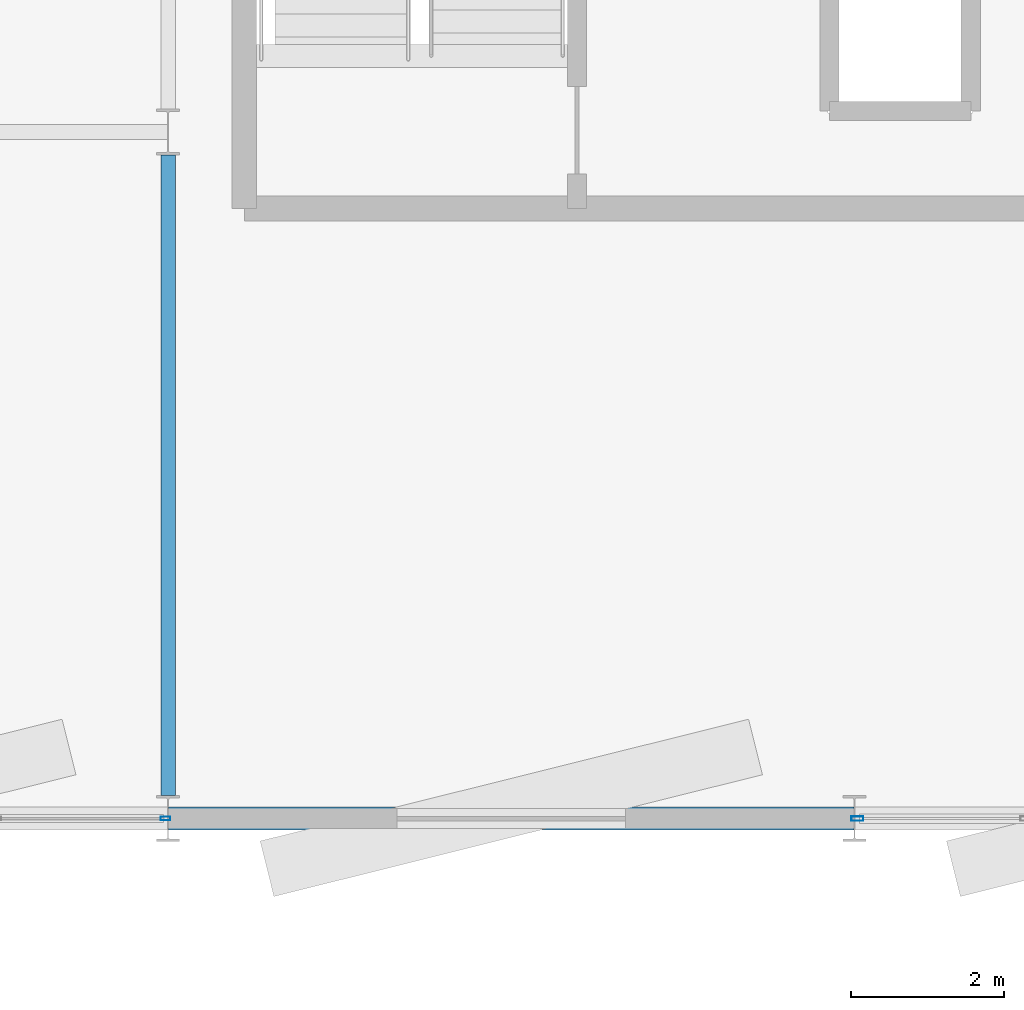
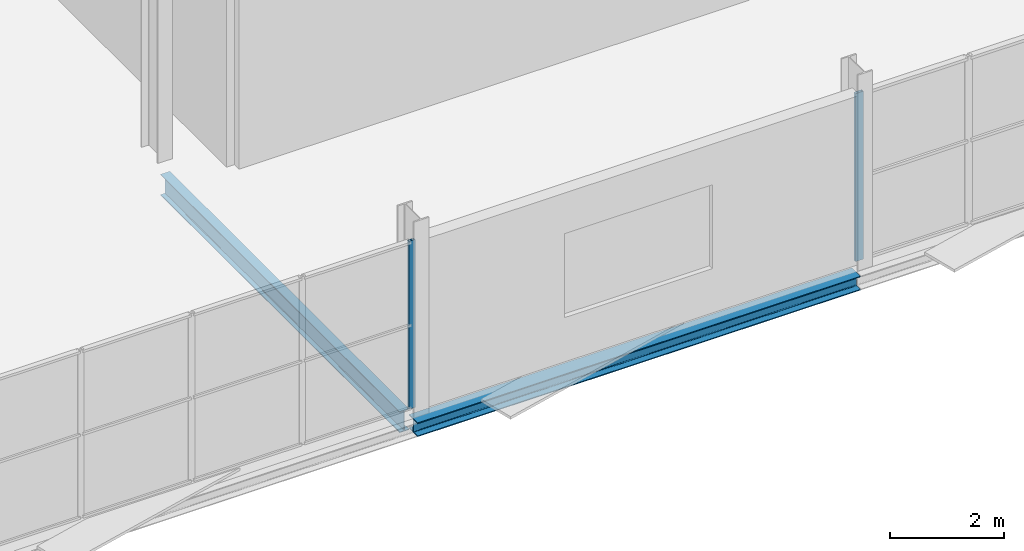
# One storey, part 81 of 135: 2 beams, 2 members, 2 elements without a shape of their own.
"""IFC4 building model written with IfcOpenShell, lengths in metres."""

import ifcopenshell
import ifcopenshell.guid

model = None  # the IFC model being written
_history = None  # IfcOwnerHistory: only IFC2X3 demands one
_inside = {}  # id of a spatial element -> (the spatial element, [elements in it])
_under = {}  # id of a project, library or spatial element -> (it, [spatial elements below it])
_declared = {}  # id of a project -> (the project, [libraries it declares])
_typed = {}  # id of a type object -> (the type object, [elements of that type])
_made_of = {}  # id of a material, layer set ... -> (it, [elements and type objects made of it])


def new_model(schema):
    """Start an empty IFC model of exactly this schema.

    Asked for "IFC4X3", IfcOpenShell would pick the latest addendum, in which some entities
    have other attributes; the version numbers below select the first issue.
    IFC2X3 requires an IfcOwnerHistory on every rooted entity: one is made here for all.
    """
    global model, _history
    if schema == "IFC4X3":
        model = ifcopenshell.file(schema_version=(4, 3, 0, 0))
    else:
        model = ifcopenshell.file(schema=schema)
    _inside.clear()
    _under.clear()
    _declared.clear()
    _typed.clear()
    _made_of.clear()
    _history = None
    if model.schema == "IFC2X3":
        org = make("IfcOrganization", Name="unknown")
        user = make(
            "IfcPersonAndOrganization",
            ThePerson=make("IfcPerson", FamilyName="unknown"),
            TheOrganization=org,
        )
        app = make(
            "IfcApplication",
            ApplicationDeveloper=org,
            Version="unknown",
            ApplicationFullName="unknown",
            ApplicationIdentifier="unknown",
        )
        _history = make(
            "IfcOwnerHistory",
            OwningUser=user,
            OwningApplication=app,
            ChangeAction="ADDED",
            CreationDate=0,
        )
    return model


def make(cls, **values):
    """One entity of the class cls with the attributes given. An attribute that is None is left unset."""
    return model.create_entity(
        cls, **{name: value for name, value in values.items() if value is not None}
    )


def rooted(cls, **values):
    """An entity with a GlobalId (a new one), such as an element, a storey or a relation."""
    return make(cls, GlobalId=ifcopenshell.guid.new(), OwnerHistory=_history, **values)


def si_unit(unit_type, name, prefix=None):
    """IfcSIUnit, for example si_unit("LENGTHUNIT", "METRE", prefix="MILLI")."""
    return make("IfcSIUnit", UnitType=unit_type, Prefix=prefix, Name=name)


def assignment(units):
    """IfcUnitAssignment: the units of a project."""
    return None if units is None else make("IfcUnitAssignment", Units=units)


def point(xyz):
    """IfcCartesianPoint."""
    return None if xyz is None else make("IfcCartesianPoint", Coordinates=xyz)


def direction(xyz):
    """IfcDirection."""
    return None if xyz is None else make("IfcDirection", DirectionRatios=xyz)


def frame(location, z_axis=None, x_axis=None):
    """IfcAxis2Placement3D, a coordinate frame: its origin and axes. An axis left out is left unset."""
    return make(
        "IfcAxis2Placement3D",
        Location=point(location),
        Axis=direction(z_axis),
        RefDirection=direction(x_axis),
    )


def frame_2d(location, x_axis=None):
    """IfcAxis2Placement2D, a coordinate frame in the plane: its origin and x axis."""
    return make(
        "IfcAxis2Placement2D", Location=point(location), RefDirection=direction(x_axis)
    )


def origin():
    """The frame at (0, 0, 0) with its axes left unset."""
    return frame((0.0, 0.0, 0.0))


def origin_2d():
    """The frame at (0, 0) in the plane with its x axis left unset."""
    return frame_2d((0.0, 0.0))


def place(relative_to, where):
    """IfcLocalPlacement: puts the frame where relative to a parent placement (None: the world)."""
    return make(
        "IfcLocalPlacement", PlacementRelTo=relative_to, RelativePlacement=where
    )


def context(
    kind, dimensions, precision=None, world=None, true_north=None, identifier=None
):
    """IfcGeometricRepresentationContext, for example the 3D "Model" context."""
    return make(
        "IfcGeometricRepresentationContext",
        ContextIdentifier=identifier,
        ContextType=kind,
        CoordinateSpaceDimension=dimensions,
        Precision=precision,
        WorldCoordinateSystem=world,
        TrueNorth=true_north,
    )


def subcontext(parent, identifier, kind, view, scale=None):
    """IfcGeometricRepresentationSubContext, for example "Body" below "Model"."""
    return make(
        "IfcGeometricRepresentationSubContext",
        ContextIdentifier=identifier,
        ContextType=kind,
        ParentContext=parent,
        TargetScale=scale,
        TargetView=view,
    )


def project(units=None, contexts=None):
    """IfcProject with its units and contexts."""
    return rooted(
        "IfcProject",
        Name="project",
        RepresentationContexts=contexts,
        UnitsInContext=assignment(units),
    )


def spatial(cls, under=None, at=None, **own):
    """A site, building, storey or space (cls), placed at a placement, below another one or the project."""
    s = rooted(cls, ObjectPlacement=at, **own)
    if under is not None:
        _under.setdefault(under.id(), (under, []))[1].append(s)
    return s


def profile(cls, at=None, kind="AREA", **sizes):
    """A parametric profile (cls). Its sizes go by their IFC names, for example OverallWidth=200.0."""
    return make(cls, ProfileType=kind, Position=at, **sizes)


def hollow_rectangle(**sizes):
    """IfcRectangleHollowProfileDef."""
    return profile("IfcRectangleHollowProfileDef", **sizes)


def i_section(**sizes):
    """IfcIShapeProfileDef."""
    return profile("IfcIShapeProfileDef", **sizes)


def extrude(swept, where, along, depth):
    """IfcExtrudedAreaSolid: the profile swept, set in the frame where, extruded along a direction by depth."""
    return make(
        "IfcExtrudedAreaSolid",
        SweptArea=swept,
        Position=where,
        ExtrudedDirection=direction(along),
        Depth=depth,
    )


def shape(context_of_items, identifier, shape_type, items):
    """IfcShapeRepresentation: the items that make up one representation, for example the "Body"."""
    return make(
        "IfcShapeRepresentation",
        ContextOfItems=context_of_items,
        RepresentationIdentifier=identifier,
        RepresentationType=shape_type,
        Items=items,
    )


def material(Name=None, Category=None):
    """IfcMaterial."""
    return make("IfcMaterial", Name=Name, Category=Category)


def layer(
    of_material, thickness, ventilated=None, Name=None, Category=None, Priority=None
):
    """IfcMaterialLayer: one layer of a wall or slab, of a material (None: an air gap)."""
    return make(
        "IfcMaterialLayer",
        Material=of_material,
        LayerThickness=thickness,
        IsVentilated=ventilated,
        Name=Name,
        Category=Category,
        Priority=Priority,
    )


def layer_set(layers, Name=None):
    """IfcMaterialLayerSet."""
    return make("IfcMaterialLayerSet", MaterialLayers=layers, LayerSetName=Name)


def material_profile(
    of_material, cross_section, Name=None, Category=None, Priority=None
):
    """IfcMaterialProfile: a cross section and its material."""
    return make(
        "IfcMaterialProfile",
        Name=Name,
        Material=of_material,
        Profile=cross_section,
        Priority=Priority,
        Category=Category,
    )


def profile_set(profiles, Name=None, composite=None):
    """IfcMaterialProfileSet."""
    return make(
        "IfcMaterialProfileSet",
        Name=Name,
        MaterialProfiles=profiles,
        CompositeProfile=composite,
    )


def made_of(thing, what):
    """Note that an element or type object is made of a material, layer set ...; save() writes the relation."""
    if what is not None:
        _made_of.setdefault(what.id(), (what, []))[1].append(thing)
    return thing


def type_object(cls, material=None, **own):
    """A type object (cls), such as IfcWallType, which elements share."""
    return made_of(rooted(cls, **own), material)


def element(
    cls,
    number,
    at=None,
    inside=None,
    cuts=None,
    type_object=None,
    material=None,
    context=None,
    identifier="Body",
    shape_type=None,
    held_by="IfcProductDefinitionShape",
    body=None,
    shapes=None,
    **own,
):
    """One element of the class cls, such as IfcWall. Its Tag is "e" and its number.

    at: its placement. inside: the storey or other place that contains it. cuts: it is an
    opening in that element (IfcRelVoidsElement). A single representation is given by context,
    identifier, shape_type and body (its items); several are given by shapes. held_by: the class
    of the entity that holds the representations. save() writes the other relations.
    """
    e = rooted(cls, Tag="e%d" % number, ObjectPlacement=at, **own)
    if body is not None:
        shapes = [shape(context, identifier, shape_type, body)]
    if shapes is not None:
        e.Representation = make(held_by, Representations=shapes)
    if inside is not None:
        _inside.setdefault(inside.id(), (inside, []))[1].append(e)
    if cuts is not None:
        rooted(
            "IfcRelVoidsElement", RelatingBuildingElement=cuts, RelatedOpeningElement=e
        )
    if type_object is not None:
        _typed.setdefault(type_object.id(), (type_object, []))[1].append(e)
    return made_of(e, material)


def aggregate(whole, parts):
    """IfcRelAggregates: a whole, such as a stair, and the parts it consists of."""
    return rooted("IfcRelAggregates", RelatingObject=whole, RelatedObjects=parts)


def save(model, path):
    """Write the relations noted so far, then the file.

    IfcRelAggregates (storeys below a building ...), IfcRelContainedInSpatialStructure (elements
    in a storey), IfcRelDefinesByType, IfcRelAssociatesMaterial and IfcRelDeclares: one each for
    every whole, place, type object, material and project.
    """
    for whole, parts in _under.values():
        aggregate(whole, parts)
    for where, things in _inside.values():
        rooted(
            "IfcRelContainedInSpatialStructure",
            RelatedElements=things,
            RelatingStructure=where,
        )
    for kind, things in _typed.values():
        rooted("IfcRelDefinesByType", RelatedObjects=things, RelatingType=kind)
    for what, things in _made_of.values():
        rooted("IfcRelAssociatesMaterial", RelatedObjects=things, RelatingMaterial=what)
    for by, libraries in _declared.values():
        rooted("IfcRelDeclares", RelatingContext=by, RelatedDefinitions=libraries)
    model.write(path)


model = new_model("IFC4")

# Units and contexts
model_context = context("Model", 3, precision=1e-05, world=origin(), true_north=direction((0.0, 1.0)))
body_context = subcontext(model_context, "Body", "Model", "MODEL_VIEW")
ifc_project = project(units=[si_unit("LENGTHUNIT", "METRE"), si_unit("AREAUNIT", "SQUARE_METRE"), si_unit("VOLUMEUNIT", "CUBIC_METRE"), si_unit("PLANEANGLEUNIT", "RADIAN"), si_unit("MASSUNIT", "GRAM", prefix="KILO")], contexts=[model_context])

# Site, building, storey
site_placement = place(None, origin())
site = spatial("IfcSite", under=ifc_project, at=site_placement, CompositionType="ELEMENT")
building_placement = place(site_placement, origin())
building = spatial("IfcBuilding", under=site, at=building_placement, Name="Deido Ridge Mobility Hub", CompositionType="ELEMENT")
storey_placement = place(building_placement, frame((0.0, 0.0, 4.199951171875)))
storey = spatial("IfcBuildingStorey", under=building, at=storey_placement, Name="L01", CompositionType="ELEMENT", Elevation=4.199951171875)

# Beam
ifc_material_1 = material(Name="Steel S355J2 EN 10025-2", Category="steel")
ifc_material_profile_1 = material_profile(ifc_material_1, i_section(OverallWidth=0.18994140625, OverallDepth=0.449951171875, WebThickness=0.009521484375, FlangeThickness=0.0146484375, FilletRadius=0.02099609375, at=origin_2d()), Name="IPE 450")
ifc_profile_set_1 = profile_set([ifc_material_profile_1], Name="Steel S355J2 EN 10025-2")
beam_type_1 = type_object("IfcBeamType", Name="BM-IPE450", PredefinedType="BEAM", material=ifc_profile_set_1)
beam_1_placement = place(storey_placement, frame((162.0, 0.300048828125, -0.474853515625), z_axis=(0.0, 1.0, 0.0), x_axis=(-1.0, 0.0, 0.0)))
element("IfcBeam", 1, at=beam_1_placement, inside=storey, type_object=beam_type_1, Name="Floor beam B4", PredefinedType="BEAM", context=body_context, shape_type="SweptSolid", body=[
    extrude(i_section(OverallWidth=0.18994140625, OverallDepth=0.449951171875, WebThickness=0.009521484375, FlangeThickness=0.0146484375, FilletRadius=0.02099609375, at=origin_2d()), origin(), (0.0, 0.0, 1.0), 8.39990234375),
])

# Curtain wall, member
ifc_material_2 = material(Name="Anodised aluminium EN AW-6063 T6", Category="aluminium")
ifc_layer_1 = layer(ifc_material_2, 0.1650390625, Name="Anodised aluminium EN AW-6063 T6")
ifc_layer_set_1 = layer_set([ifc_layer_1], Name="Anodised aluminium EN AW-6063 T6")
curtain_wall_type_1 = type_object("IfcCurtainWallType", Name="CW-UF-1", PredefinedType="USERDEFINED", material=ifc_layer_set_1)
curtain_wall_1_placement = place(storey_placement, origin())
curtain_wall_1 = element("IfcCurtainWall", 2, at=curtain_wall_1_placement, inside=storey, type_object=curtain_wall_type_1, Name="Unitised curtain wall CW1", ObjectType="UNITISED FACADE", PredefinedType="USERDEFINED")
ifc_material_profile_2 = material_profile(ifc_material_2, hollow_rectangle(XDim=0.050048828125, YDim=0.1298828125, WallThickness=0.00390625, at=origin_2d()), Name="RHS 50x130x4")
ifc_profile_set_2 = profile_set([ifc_material_profile_2], Name="Anodised aluminium EN AW-6063 T6")
member_type_1 = type_object("IfcMemberType", Name="MEM-MUL-50X130", PredefinedType="MULLION", material=ifc_profile_set_2)
member_1_placement = place(storey_placement, frame((161.96728515625, 0.0, 0.0), z_axis=(0.0, 0.0, 1.0), x_axis=(0.0, 1.0, 0.0)))
member_1 = element("IfcMember", 3, at=member_1_placement, type_object=member_type_1, Name="CW1 mullion 5", PredefinedType="MULLION", context=body_context, shape_type="SweptSolid", body=[
    extrude(hollow_rectangle(XDim=0.050048828125, YDim=0.1298828125, WallThickness=0.00390625, at=origin_2d()), origin(), (0.0, 0.0, 1.0), 3.60009765625),
])
aggregate(curtain_wall_1, [member_1])

ifc_layer_2 = layer(ifc_material_2, 0.195068359375, Name="Anodised aluminium EN AW-6063 T6")
ifc_layer_set_2 = layer_set([ifc_layer_2], Name="Anodised aluminium EN AW-6063 T6")
curtain_wall_type_2 = type_object("IfcCurtainWallType", Name="CW-UF-3", PredefinedType="USERDEFINED", material=ifc_layer_set_2)
curtain_wall_2_placement = place(storey_placement, origin())
curtain_wall_2 = element("IfcCurtainWall", 4, at=curtain_wall_2_placement, inside=storey, type_object=curtain_wall_type_2, Name="Unitised curtain wall CW3", ObjectType="UNITISED FACADE", PredefinedType="USERDEFINED")
ifc_material_profile_3 = material_profile(ifc_material_2, hollow_rectangle(XDim=0.06005859375, YDim=0.159912109375, WallThickness=0.00390625, at=origin_2d()), Name="RHS 60x160x4")
ifc_profile_set_3 = profile_set([ifc_material_profile_3], Name="Anodised aluminium EN AW-6063 T6")
member_type_2 = type_object("IfcMemberType", Name="MEM-MUL-60X160", PredefinedType="MULLION", material=ifc_profile_set_3)
member_2_placement = place(storey_placement, frame((171.03759765625, 0.0, 0.0), z_axis=(0.0, 0.0, 1.0), x_axis=(0.0, 1.0, 0.0)))
member_2 = element("IfcMember", 5, at=member_2_placement, type_object=member_type_2, Name="CW3 mullion 1", PredefinedType="MULLION", context=body_context, shape_type="SweptSolid", body=[
    extrude(hollow_rectangle(XDim=0.06005859375, YDim=0.159912109375, WallThickness=0.00390625, at=origin_2d()), origin(), (0.0, 0.0, 1.0), 3.60009765625),
])
aggregate(curtain_wall_2, [member_2])

# Beam
ifc_material_profile_4 = material_profile(ifc_material_1, i_section(OverallWidth=0.300048828125, OverallDepth=0.300048828125, WebThickness=0.010986328125, FlangeThickness=0.01904296875, FilletRadius=0.027099609375, at=origin_2d()), Name="HEB 300")
ifc_profile_set_4 = profile_set([ifc_material_profile_4], Name="Steel S355J2 EN 10025-2")
beam_type_2 = type_object("IfcBeamType", Name="SPD-HEB300", PredefinedType="SPANDREL", material=ifc_profile_set_4)
beam_2_placement = place(storey_placement, frame((162.0078125, 0.0, -0.39990234375), z_axis=(1.0, 0.0, 0.0), x_axis=(0.0, 1.0, 0.0)))
element("IfcBeam", 6, at=beam_2_placement, inside=storey, type_object=beam_type_2, Name="Floor beam SP1", PredefinedType="SPANDREL", context=body_context, shape_type="SweptSolid", body=[
    extrude(i_section(OverallWidth=0.300048828125, OverallDepth=0.300048828125, WebThickness=0.010986328125, FlangeThickness=0.01904296875, FilletRadius=0.027099609375, at=origin_2d()), origin(), (0.0, 0.0, 1.0), 8.984375),
])

save(model, "model.ifc")
